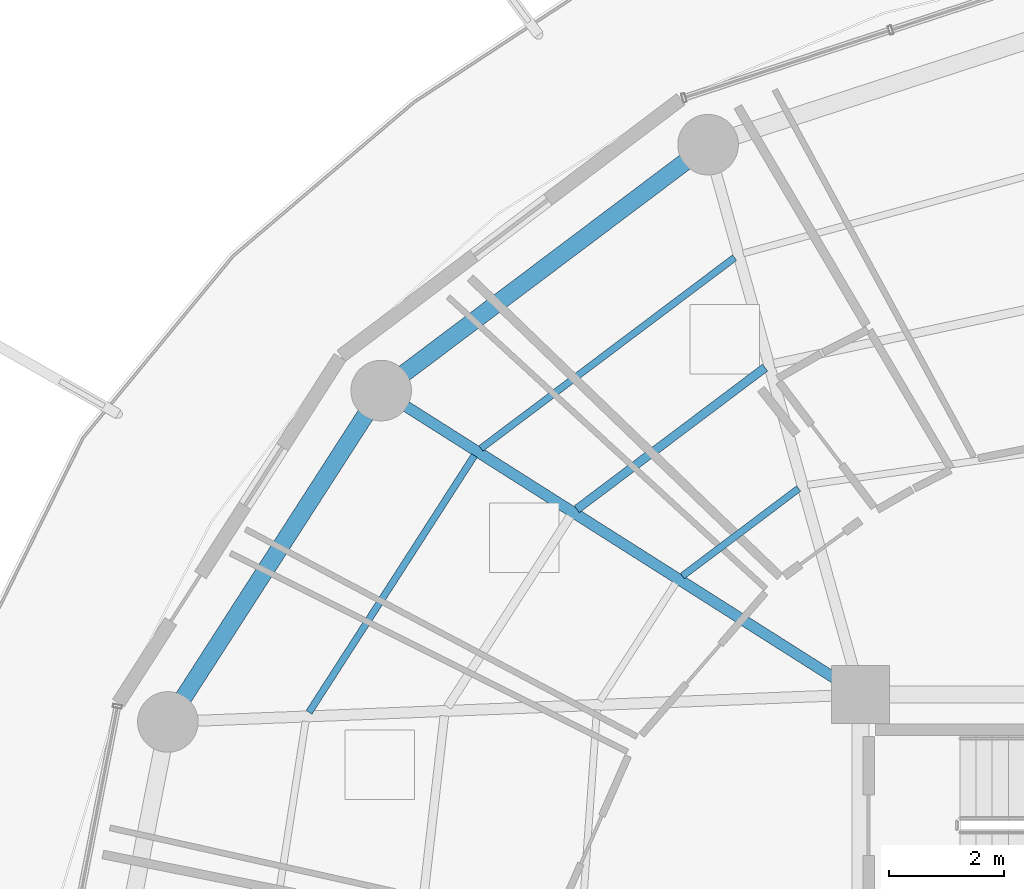
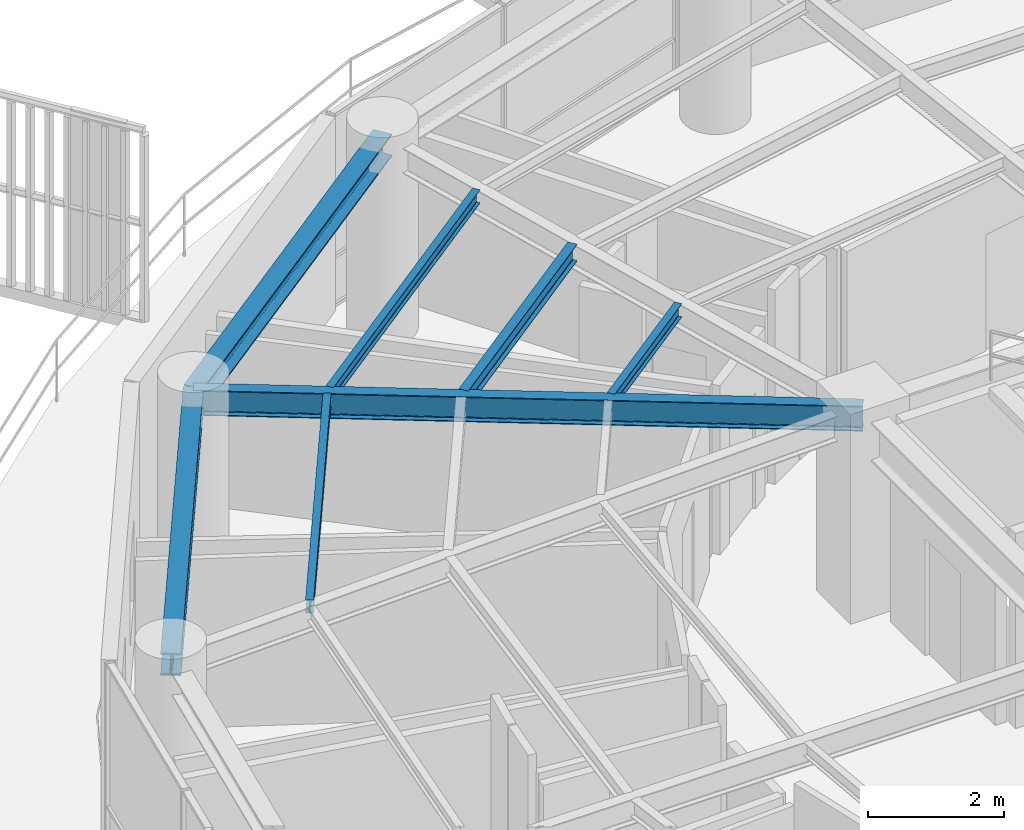
# One storey, part 17 of 31: 7 beams.
"""IFC4 building model written with IfcOpenShell, lengths in metres."""

from ifc_helpers import new_model, si_unit, direction, frame, origin, origin_2d, place, context, subcontext, project, spatial, i_section, extrude, material, material_profile, profile_set, type_object, element, save


model = new_model("IFC4")

# Units and contexts
model_context = context("Model", 3, precision=1e-05, world=origin(), true_north=direction((0.0, 1.0)))
body_context = subcontext(model_context, "Body", "Model", "MODEL_VIEW")
ifc_project = project(units=[si_unit("LENGTHUNIT", "METRE"), si_unit("AREAUNIT", "SQUARE_METRE"), si_unit("VOLUMEUNIT", "CUBIC_METRE"), si_unit("PLANEANGLEUNIT", "RADIAN"), si_unit("MASSUNIT", "GRAM", prefix="KILO")], contexts=[model_context])

# Site, building, storey
site_placement = place(None, origin())
site = spatial("IfcSite", under=ifc_project, at=site_placement, CompositionType="ELEMENT")
building_placement = place(site_placement, origin())
building = spatial("IfcBuilding", under=site, at=building_placement, Name="Kelanora Arch Commons", CompositionType="ELEMENT")
storey_placement = place(building_placement, frame((0.0, 0.0, 230.699951171875)))
storey = spatial("IfcBuildingStorey", under=building, at=storey_placement, Name="L59", CompositionType="ELEMENT", Elevation=230.699951171875)

# Beams
ifc_material = material(Name="Steel S355", Category="steel")
ifc_material_profile_1 = material_profile(ifc_material, i_section(OverallWidth=0.14990234375, OverallDepth=0.300048828125, WebThickness=0.007080078125, FlangeThickness=0.0107421875, FilletRadius=0.014892578125, at=origin_2d()), Name="IPE300")
ifc_profile_set_1 = profile_set([ifc_material_profile_1], Name="Steel S355")
beam_type_1 = type_object("IfcBeamType", Name="BM-JST-01", PredefinedType="JOIST", material=ifc_profile_set_1)
beam_1_placement = place(storey_placement, frame((64.34814453125, 70.6630859375, 3.340087890625), z_axis=(-0.799101708656, -0.601195857624, 0.0), x_axis=(0.601195857624, -0.799101708656, 0.0)))
element("IfcBeam", 1, at=beam_1_placement, inside=storey, type_object=beam_type_1, Name="Secondary Chord Joist BJB-12 L59", PredefinedType="JOIST", context=body_context, shape_type="SweptSolid", body=[
    extrude(i_section(OverallWidth=0.14990234375, OverallDepth=0.300048828125, WebThickness=0.007080078125, FlangeThickness=0.0107421875, FilletRadius=0.014892578125, at=origin_2d()), origin(), (0.0, 0.0, 1.0), 4.080810546875),
])
ifc_material_profile_2 = material_profile(ifc_material, i_section(OverallWidth=0.1201171875, OverallDepth=0.239990234375, WebThickness=0.006103515625, FlangeThickness=0.009765625, FilletRadius=0.014892578125, at=origin_2d()), Name="IPE240")
ifc_profile_set_2 = profile_set([ifc_material_profile_2], Name="Steel S355")
beam_type_2 = type_object("IfcBeamType", Name="BM-JST-02", PredefinedType="JOIST", material=ifc_profile_set_2)
beam_2_placement = place(storey_placement, frame((64.928955078125, 68.56787109375, 3.3701171875), z_axis=(-0.79911638933, -0.601176343766, 0.0), x_axis=(0.601176343766, -0.79911638933, 0.0)))
element("IfcBeam", 2, at=beam_2_placement, inside=storey, type_object=beam_type_2, Name="Secondary Chord Joist BJA-12 L59", PredefinedType="JOIST", context=body_context, shape_type="SweptSolid", body=[
    extrude(i_section(OverallWidth=0.1201171875, OverallDepth=0.239990234375, WebThickness=0.006103515625, FlangeThickness=0.009765625, FilletRadius=0.014892578125, at=origin_2d()), origin(), (0.0, 0.0, 1.0), 2.522216796875),
])
beam_3_placement = place(storey_placement, frame((63.820068359375, 72.56787109375, 3.3701171875), z_axis=(-0.799109197935, -0.601185902842, 0.0), x_axis=(0.601185902842, -0.799109197935, 0.0)))
element("IfcBeam", 3, at=beam_3_placement, inside=storey, type_object=beam_type_2, Name="Secondary Chord Joist BJC-12 L59", PredefinedType="JOIST", context=body_context, shape_type="SweptSolid", body=[
    extrude(i_section(OverallWidth=0.1201171875, OverallDepth=0.239990234375, WebThickness=0.006103515625, FlangeThickness=0.009765625, FilletRadius=0.014892578125, at=origin_2d()), origin(), (0.0, 0.0, 1.0), 5.497802734375),
])
beam_4_placement = place(storey_placement, frame((59.31298828125, 69.14013671875, 3.3701171875), z_axis=(-0.541382492679, -0.840776424872, 0.0), x_axis=(0.840776424872, -0.541382492679, 0.0)))
element("IfcBeam", 4, at=beam_4_placement, inside=storey, type_object=beam_type_2, Name="Secondary Chord Joist BJC-14 L59", PredefinedType="JOIST", context=body_context, shape_type="SweptSolid", body=[
    extrude(i_section(OverallWidth=0.1201171875, OverallDepth=0.239990234375, WebThickness=0.006103515625, FlangeThickness=0.009765625, FilletRadius=0.014892578125, at=origin_2d()), origin(), (0.0, 0.0, 1.0), 5.29052734375),
])
ifc_material_profile_3 = material_profile(ifc_material, i_section(OverallWidth=0.18994140625, OverallDepth=0.449951171875, WebThickness=0.009521484375, FlangeThickness=0.0146484375, FilletRadius=0.02099609375, at=origin_2d()), Name="IPE450")
ifc_profile_set_3 = profile_set([ifc_material_profile_3], Name="Steel S355")
beam_type_3 = type_object("IfcBeamType", Name="BM-RAD-Z4", PredefinedType="BEAM", material=ifc_profile_set_3)
beam_5_placement = place(storey_placement, frame((66.0, 65.0, 3.26513671875), z_axis=(-0.844507208607, 0.535544185489, 0.0), x_axis=(-0.535544185489, -0.844507208607, 0.0)))
element("IfcBeam", 5, at=beam_5_placement, inside=storey, type_object=beam_type_3, Name="Radial Floor Girder BR-14 L59", PredefinedType="BEAM", context=body_context, shape_type="SweptSolid", body=[
    extrude(i_section(OverallWidth=0.18994140625, OverallDepth=0.449951171875, WebThickness=0.009521484375, FlangeThickness=0.0146484375, FilletRadius=0.02099609375, at=origin_2d()), origin(), (0.0, 0.0, 1.0), 9.830078125),
])
ifc_material_profile_4 = material_profile(ifc_material, i_section(OverallWidth=0.300048828125, OverallDepth=0.39990234375, WebThickness=0.013427734375, FlangeThickness=0.02392578125, FilletRadius=0.027099609375, at=origin_2d()), Name="HEB400")
ifc_profile_set_4 = profile_set([ifc_material_profile_4], Name="Steel S355")
beam_type_4 = type_object("IfcBeamType", Name="BM-SPN-Z4", PredefinedType="SPANDREL", material=ifc_profile_set_4)
beam_6_placement = place(storey_placement, frame((63.360107421875, 74.523681640625, 3.2900390625), z_axis=(-0.799114211715, -0.60117923836, 0.0), x_axis=(0.60117923836, -0.799114211715, 0.0)))
element("IfcBeam", 6, at=beam_6_placement, inside=storey, type_object=beam_type_4, Name="Perimeter Spandrel Beam BS-12 L59", PredefinedType="SPANDREL", context=body_context, shape_type="SweptSolid", body=[
    extrude(i_section(OverallWidth=0.300048828125, OverallDepth=0.39990234375, WebThickness=0.013427734375, FlangeThickness=0.02392578125, FilletRadius=0.027099609375, at=origin_2d()), origin(), (0.0, 0.0, 1.0), 7.0849609375),
])
beam_7_placement = place(storey_placement, frame((57.698486328125, 70.264404296875, 3.2900390625), z_axis=(-0.541364878868, -0.840787766281, 0.0), x_axis=(0.840787766281, -0.541364878868, 0.0)))
element("IfcBeam", 7, at=beam_7_placement, inside=storey, type_object=beam_type_4, Name="Perimeter Spandrel Beam BS-14 L59", PredefinedType="SPANDREL", context=body_context, shape_type="SweptSolid", body=[
    extrude(i_section(OverallWidth=0.300048828125, OverallDepth=0.39990234375, WebThickness=0.013427734375, FlangeThickness=0.02392578125, FilletRadius=0.027099609375, at=origin_2d()), origin(), (0.0, 0.0, 1.0), 6.825439453125),
])

save(model, "model.ifc")
